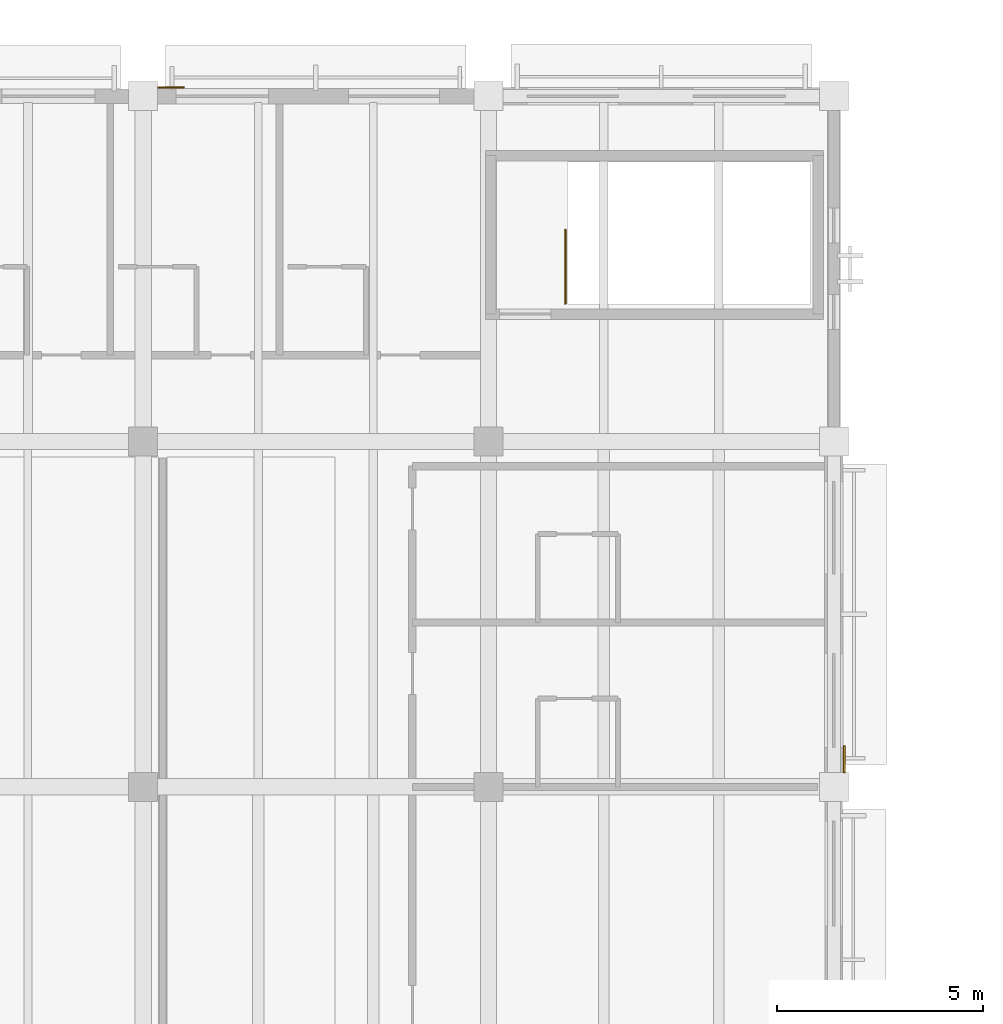
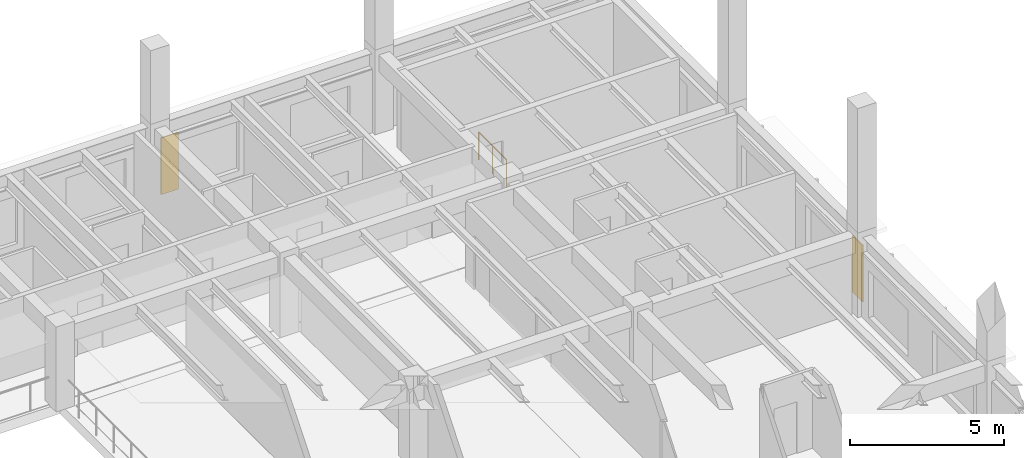
# One storey, part 123 of 123: 2 coverings, 1 railing.
"""IFC4 building model written with IfcOpenShell, lengths in metres."""

import ifcopenshell
import ifcopenshell.guid

model = None  # the IFC model being written
_history = None  # IfcOwnerHistory: only IFC2X3 demands one
_inside = {}  # id of a spatial element -> (the spatial element, [elements in it])
_under = {}  # id of a project, library or spatial element -> (it, [spatial elements below it])
_declared = {}  # id of a project -> (the project, [libraries it declares])
_typed = {}  # id of a type object -> (the type object, [elements of that type])
_made_of = {}  # id of a material, layer set ... -> (it, [elements and type objects made of it])


def new_model(schema):
    """Start an empty IFC model of exactly this schema.

    Asked for "IFC4X3", IfcOpenShell would pick the latest addendum, in which some entities
    have other attributes; the version numbers below select the first issue.
    IFC2X3 requires an IfcOwnerHistory on every rooted entity: one is made here for all.
    """
    global model, _history
    if schema == "IFC4X3":
        model = ifcopenshell.file(schema_version=(4, 3, 0, 0))
    else:
        model = ifcopenshell.file(schema=schema)
    _inside.clear()
    _under.clear()
    _declared.clear()
    _typed.clear()
    _made_of.clear()
    _history = None
    if model.schema == "IFC2X3":
        org = make("IfcOrganization", Name="unknown")
        user = make(
            "IfcPersonAndOrganization",
            ThePerson=make("IfcPerson", FamilyName="unknown"),
            TheOrganization=org,
        )
        app = make(
            "IfcApplication",
            ApplicationDeveloper=org,
            Version="unknown",
            ApplicationFullName="unknown",
            ApplicationIdentifier="unknown",
        )
        _history = make(
            "IfcOwnerHistory",
            OwningUser=user,
            OwningApplication=app,
            ChangeAction="ADDED",
            CreationDate=0,
        )
    return model


def make(cls, **values):
    """One entity of the class cls with the attributes given. An attribute that is None is left unset."""
    return model.create_entity(
        cls, **{name: value for name, value in values.items() if value is not None}
    )


def rooted(cls, **values):
    """An entity with a GlobalId (a new one), such as an element, a storey or a relation."""
    return make(cls, GlobalId=ifcopenshell.guid.new(), OwnerHistory=_history, **values)


def si_unit(unit_type, name, prefix=None):
    """IfcSIUnit, for example si_unit("LENGTHUNIT", "METRE", prefix="MILLI")."""
    return make("IfcSIUnit", UnitType=unit_type, Prefix=prefix, Name=name)


def assignment(units):
    """IfcUnitAssignment: the units of a project."""
    return None if units is None else make("IfcUnitAssignment", Units=units)


def point(xyz):
    """IfcCartesianPoint."""
    return None if xyz is None else make("IfcCartesianPoint", Coordinates=xyz)


def direction(xyz):
    """IfcDirection."""
    return None if xyz is None else make("IfcDirection", DirectionRatios=xyz)


def frame(location, z_axis=None, x_axis=None):
    """IfcAxis2Placement3D, a coordinate frame: its origin and axes. An axis left out is left unset."""
    return make(
        "IfcAxis2Placement3D",
        Location=point(location),
        Axis=direction(z_axis),
        RefDirection=direction(x_axis),
    )


def frame_2d(location, x_axis=None):
    """IfcAxis2Placement2D, a coordinate frame in the plane: its origin and x axis."""
    return make(
        "IfcAxis2Placement2D", Location=point(location), RefDirection=direction(x_axis)
    )


def origin():
    """The frame at (0, 0, 0) with its axes left unset."""
    return frame((0.0, 0.0, 0.0))


def origin_2d():
    """The frame at (0, 0) in the plane with its x axis left unset."""
    return frame_2d((0.0, 0.0))


def place(relative_to, where):
    """IfcLocalPlacement: puts the frame where relative to a parent placement (None: the world)."""
    return make(
        "IfcLocalPlacement", PlacementRelTo=relative_to, RelativePlacement=where
    )


def context(
    kind, dimensions, precision=None, world=None, true_north=None, identifier=None
):
    """IfcGeometricRepresentationContext, for example the 3D "Model" context."""
    return make(
        "IfcGeometricRepresentationContext",
        ContextIdentifier=identifier,
        ContextType=kind,
        CoordinateSpaceDimension=dimensions,
        Precision=precision,
        WorldCoordinateSystem=world,
        TrueNorth=true_north,
    )


def subcontext(parent, identifier, kind, view, scale=None):
    """IfcGeometricRepresentationSubContext, for example "Body" below "Model"."""
    return make(
        "IfcGeometricRepresentationSubContext",
        ContextIdentifier=identifier,
        ContextType=kind,
        ParentContext=parent,
        TargetScale=scale,
        TargetView=view,
    )


def project(units=None, contexts=None):
    """IfcProject with its units and contexts."""
    return rooted(
        "IfcProject",
        Name="project",
        RepresentationContexts=contexts,
        UnitsInContext=assignment(units),
    )


def spatial(cls, under=None, at=None, **own):
    """A site, building, storey or space (cls), placed at a placement, below another one or the project."""
    s = rooted(cls, ObjectPlacement=at, **own)
    if under is not None:
        _under.setdefault(under.id(), (under, []))[1].append(s)
    return s


def polyline(points):
    """IfcPolyline through the points."""
    return make("IfcPolyline", Points=[point(p) for p in points])


def profile(cls, at=None, kind="AREA", **sizes):
    """A parametric profile (cls). Its sizes go by their IFC names, for example OverallWidth=200.0."""
    return make(cls, ProfileType=kind, Position=at, **sizes)


def circle(**sizes):
    """IfcCircleProfileDef."""
    return profile("IfcCircleProfileDef", **sizes)


def outline(outer, holes=None, kind="AREA"):
    """IfcArbitraryClosedProfileDef: a profile drawn as a closed curve; with holes, ...WithVoids."""
    if holes is None:
        return make("IfcArbitraryClosedProfileDef", ProfileType=kind, OuterCurve=outer)
    return make(
        "IfcArbitraryProfileDefWithVoids",
        ProfileType=kind,
        OuterCurve=outer,
        InnerCurves=holes,
    )


def extrude(swept, where, along, depth):
    """IfcExtrudedAreaSolid: the profile swept, set in the frame where, extruded along a direction by depth."""
    return make(
        "IfcExtrudedAreaSolid",
        SweptArea=swept,
        Position=where,
        ExtrudedDirection=direction(along),
        Depth=depth,
    )


def shape(context_of_items, identifier, shape_type, items):
    """IfcShapeRepresentation: the items that make up one representation, for example the "Body"."""
    return make(
        "IfcShapeRepresentation",
        ContextOfItems=context_of_items,
        RepresentationIdentifier=identifier,
        RepresentationType=shape_type,
        Items=items,
    )


def material(Name=None, Category=None):
    """IfcMaterial."""
    return make("IfcMaterial", Name=Name, Category=Category)


def layer(
    of_material, thickness, ventilated=None, Name=None, Category=None, Priority=None
):
    """IfcMaterialLayer: one layer of a wall or slab, of a material (None: an air gap)."""
    return make(
        "IfcMaterialLayer",
        Material=of_material,
        LayerThickness=thickness,
        IsVentilated=ventilated,
        Name=Name,
        Category=Category,
        Priority=Priority,
    )


def layer_set(layers, Name=None):
    """IfcMaterialLayerSet."""
    return make("IfcMaterialLayerSet", MaterialLayers=layers, LayerSetName=Name)


def made_of(thing, what):
    """Note that an element or type object is made of a material, layer set ...; save() writes the relation."""
    if what is not None:
        _made_of.setdefault(what.id(), (what, []))[1].append(thing)
    return thing


def type_object(cls, material=None, **own):
    """A type object (cls), such as IfcWallType, which elements share."""
    return made_of(rooted(cls, **own), material)


def element(
    cls,
    number,
    at=None,
    inside=None,
    cuts=None,
    type_object=None,
    material=None,
    context=None,
    identifier="Body",
    shape_type=None,
    held_by="IfcProductDefinitionShape",
    body=None,
    shapes=None,
    **own,
):
    """One element of the class cls, such as IfcWall. Its Tag is "e" and its number.

    at: its placement. inside: the storey or other place that contains it. cuts: it is an
    opening in that element (IfcRelVoidsElement). A single representation is given by context,
    identifier, shape_type and body (its items); several are given by shapes. held_by: the class
    of the entity that holds the representations. save() writes the other relations.
    """
    e = rooted(cls, Tag="e%d" % number, ObjectPlacement=at, **own)
    if body is not None:
        shapes = [shape(context, identifier, shape_type, body)]
    if shapes is not None:
        e.Representation = make(held_by, Representations=shapes)
    if inside is not None:
        _inside.setdefault(inside.id(), (inside, []))[1].append(e)
    if cuts is not None:
        rooted(
            "IfcRelVoidsElement", RelatingBuildingElement=cuts, RelatedOpeningElement=e
        )
    if type_object is not None:
        _typed.setdefault(type_object.id(), (type_object, []))[1].append(e)
    return made_of(e, material)


def aggregate(whole, parts):
    """IfcRelAggregates: a whole, such as a stair, and the parts it consists of."""
    return rooted("IfcRelAggregates", RelatingObject=whole, RelatedObjects=parts)


def save(model, path):
    """Write the relations noted so far, then the file.

    IfcRelAggregates (storeys below a building ...), IfcRelContainedInSpatialStructure (elements
    in a storey), IfcRelDefinesByType, IfcRelAssociatesMaterial and IfcRelDeclares: one each for
    every whole, place, type object, material and project.
    """
    for whole, parts in _under.values():
        aggregate(whole, parts)
    for where, things in _inside.values():
        rooted(
            "IfcRelContainedInSpatialStructure",
            RelatedElements=things,
            RelatingStructure=where,
        )
    for kind, things in _typed.values():
        rooted("IfcRelDefinesByType", RelatedObjects=things, RelatingType=kind)
    for what, things in _made_of.values():
        rooted("IfcRelAssociatesMaterial", RelatedObjects=things, RelatingMaterial=what)
    for by, libraries in _declared.values():
        rooted("IfcRelDeclares", RelatingContext=by, RelatedDefinitions=libraries)
    model.write(path)


model = new_model("IFC4")

# Units and contexts
model_context = context("Model", 3, precision=1e-05, world=origin(), true_north=direction((0.0, 1.0)))
body_context = subcontext(model_context, "Body", "Model", "MODEL_VIEW")
ifc_project = project(units=[si_unit("LENGTHUNIT", "METRE"), si_unit("AREAUNIT", "SQUARE_METRE"), si_unit("VOLUMEUNIT", "CUBIC_METRE"), si_unit("PLANEANGLEUNIT", "RADIAN"), si_unit("MASSUNIT", "GRAM", prefix="KILO")], contexts=[model_context])

# Site, building, storey
site_placement = place(None, origin())
site = spatial("IfcSite", under=ifc_project, at=site_placement, CompositionType="ELEMENT")
building_placement = place(site_placement, origin())
building = spatial("IfcBuilding", under=site, at=building_placement, Name="Cumbredor Promenade Congress Hotel", CompositionType="ELEMENT")
storey_placement = place(building_placement, frame((0.0, 0.0, 11.760009765625)))
storey = spatial("IfcBuildingStorey", under=building, at=storey_placement, Name="L03", CompositionType="ELEMENT", Elevation=11.760009765625)

# Covering
ifc_material_1 = material(Name="Precast concrete C40/50", Category="concrete")
ifc_layer_1 = layer(ifc_material_1, 0.044921875, Name="Precast concrete C40/50", Category="concrete")
ifc_layer_set_1 = layer_set([ifc_layer_1], Name="Precast concrete C40/50")
covering_type_1 = type_object("IfcCoveringType", Name="Board-Formed Architectural Cladding Panel 45mm", PredefinedType="CLADDING", material=ifc_layer_set_1)
covering_1_placement = place(storey_placement, origin())
element("IfcCovering", 1, at=covering_1_placement, inside=storey, type_object=covering_type_1, Name="L03 Facade Stone Cladding Pier 150", PredefinedType="CLADDING", context=body_context, shape_type="SweptSolid", body=[
    extrude(outline(polyline([(176.625, 101.15087890625), (176.625, 101.801025390625), (176.669921875, 101.801025390625), (176.669921875, 101.15087890625), (176.625, 101.15087890625)])), origin(), (0.0, 0.0, 1.0), 2.25),
])

# Railing
ifc_material_2 = material(Name="Brushed stainless steel", Category="steel")
railing_type = type_object("IfcRailingType", Name="Interior Void & Stair Guardrail GR-1100", PredefinedType="GUARDRAIL", material=ifc_material_2)
railing_placement = place(storey_placement, frame((169.8701171875, 112.550048828125, 0.0)))
element("IfcRailing", 2, at=railing_placement, inside=storey, type_object=railing_type, Name="L03 ST-16 top well guard 1", PredefinedType="GUARDRAIL", context=body_context, shape_type="SweptSolid", body=[
    extrude(circle(Radius=0.02392578125, at=origin_2d()), frame((0.0, 0.0, 1.09619140625), z_axis=(0.0, 1.0, 0.0), x_axis=(-1.0, 0.0, 0.0)), (0.0, 0.0, 1.0), 1.800048828125),
    extrude(circle(Radius=0.02099609375, at=origin_2d()), origin(), (0.0, 0.0, 1.0), 1.072021484375),
    extrude(circle(Radius=0.02099609375, at=origin_2d()), frame((0.0, 0.89990234375, 0.0)), (0.0, 0.0, 1.0), 1.072021484375),
    extrude(circle(Radius=0.02099609375, at=origin_2d()), frame((0.0, 1.800048828125, 0.0)), (0.0, 0.0, 1.0), 1.072021484375),
])

# Covering
ifc_material_3 = material(Name="Volcanic andesite ashlar cladding", Category="masonry")
ifc_layer_2 = layer(ifc_material_3, 0.034912109375, Name="Volcanic andesite ashlar cladding", Category="masonry")
ifc_layer_set_2 = layer_set([ifc_layer_2], Name="Volcanic andesite ashlar cladding")
covering_type_2 = type_object("IfcCoveringType", Name="Volcanic Andesite Ashlar Rainscreen Cladding 35mm", PredefinedType="CLADDING", material=ifc_layer_set_2)
covering_2_placement = place(storey_placement, origin())
element("IfcCovering", 3, at=covering_2_placement, inside=storey, type_object=covering_type_2, Name="L03 Facade Stone Cladding Pier 147", PredefinedType="CLADDING", context=body_context, shape_type="SweptSolid", body=[
    extrude(outline(polyline([(159.950927734375, 117.7900390625), (160.60107421875, 117.7900390625), (160.60107421875, 117.824951171875), (159.950927734375, 117.824951171875), (159.950927734375, 117.7900390625)])), origin(), (0.0, 0.0, 1.0), 2.25),
])

save(model, "model.ifc")
